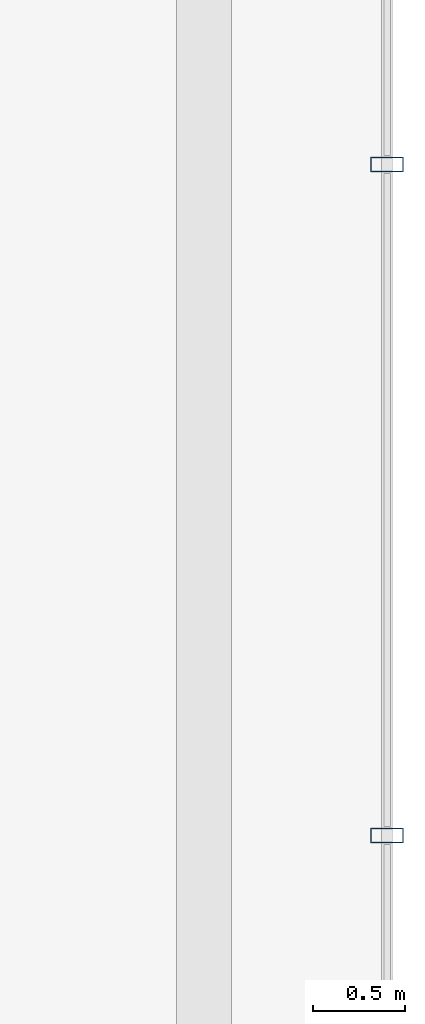
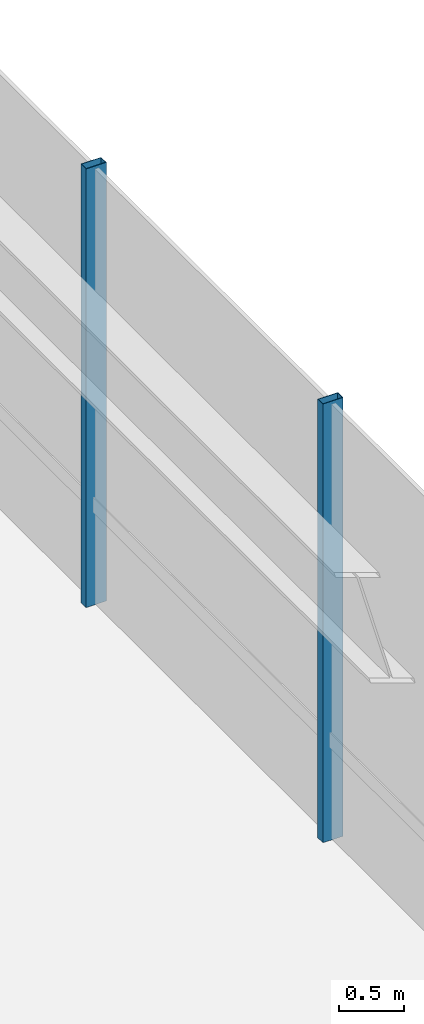
# One storey, part 28 of 37: 2 members, 1 element without a shape of its own.
"""IFC4 building model written with IfcOpenShell, lengths in metres."""

from ifc_helpers import new_model, si_unit, direction, frame, origin, origin_2d, place, context, subcontext, project, spatial, hollow_rectangle, extrude, material, layer, layer_set, material_profile, profile_set, type_object, element, aggregate, save


model = new_model("IFC4")

# Units and contexts
model_context = context("Model", 3, precision=1e-05, world=origin(), true_north=direction((0.0, 1.0)))
body_context = subcontext(model_context, "Body", "Model", "MODEL_VIEW")
ifc_project = project(units=[si_unit("LENGTHUNIT", "METRE"), si_unit("AREAUNIT", "SQUARE_METRE"), si_unit("VOLUMEUNIT", "CUBIC_METRE"), si_unit("PLANEANGLEUNIT", "RADIAN"), si_unit("MASSUNIT", "GRAM", prefix="KILO")], contexts=[model_context])

# Site, building, storey
site_placement = place(None, origin())
site = spatial("IfcSite", under=ifc_project, at=site_placement, CompositionType="ELEMENT")
building_placement = place(site_placement, origin())
building = spatial("IfcBuilding", under=site, at=building_placement, Name="Zarrinselat Tower", CompositionType="ELEMENT")
storey_placement = place(building_placement, frame((0.0, 0.0, 9.52001953125)))
storey = spatial("IfcBuildingStorey", under=building, at=storey_placement, Name="L02", CompositionType="ELEMENT", Elevation=9.52001953125)

# Curtain wall, members
ifc_material_1 = material(Name="Extruded Aluminium Alloy EN AW-6063 T6", Category="aluminium")
ifc_layer = layer(ifc_material_1, 0.2099609375)
ifc_layer_set = layer_set([ifc_layer], Name="Extruded Aluminium Alloy EN AW-6063 T6")
curtain_wall_type = type_object("IfcCurtainWallType", Name="CWS-POD", PredefinedType="NOTDEFINED", material=ifc_layer_set)
curtain_wall_placement = place(storey_placement, origin())
curtain_wall = element("IfcCurtainWall", 1, at=curtain_wall_placement, inside=storey, type_object=curtain_wall_type, Name="L02 Unitised Curtain Wall CW-L02-F3", PredefinedType="NOTDEFINED")
ifc_material_2 = material(Name="Extruded Aluminium Alloy EN AW-6063 T6", Category="aluminium")
ifc_material_profile = material_profile(ifc_material_2, hollow_rectangle(XDim=0.080078125, YDim=0.179931640625, WallThickness=0.0048828125, at=origin_2d()), Name="RHS 180x80x5")
ifc_profile_set = profile_set([ifc_material_profile], Name="Extruded Aluminium Alloy EN AW-6063 T6")
member_type = type_object("IfcMemberType", Name="MEM-CW-MUL", PredefinedType="MULLION", material=ifc_profile_set)
member_1_placement = place(storey_placement, frame((74.39990234375, 25.0400390625, 0.0), z_axis=(0.0, 0.0, 1.0), x_axis=(0.0, 1.0, 0.0)))
member_1 = element("IfcMember", 2, at=member_1_placement, type_object=member_type, Name="CW-L02-F3 Mullion 4", PredefinedType="MULLION", context=body_context, shape_type="SweptSolid", body=[
    extrude(hollow_rectangle(XDim=0.080078125, YDim=0.179931640625, WallThickness=0.0048828125, at=origin_2d()), origin(), (0.0, 0.0, 1.0), 4.139892578125),
])
member_2_placement = place(storey_placement, frame((74.39990234375, 28.699951171875, 0.0), z_axis=(0.0, 0.0, 1.0), x_axis=(0.0, 1.0, 0.0)))
member_2 = element("IfcMember", 3, at=member_2_placement, type_object=member_type, Name="CW-L02-F3 Mullion 5", PredefinedType="MULLION", context=body_context, shape_type="SweptSolid", body=[
    extrude(hollow_rectangle(XDim=0.080078125, YDim=0.179931640625, WallThickness=0.0048828125, at=origin_2d()), origin(), (0.0, 0.0, 1.0), 4.139892578125),
])
aggregate(curtain_wall, [member_1, member_2])

save(model, "model.ifc")
